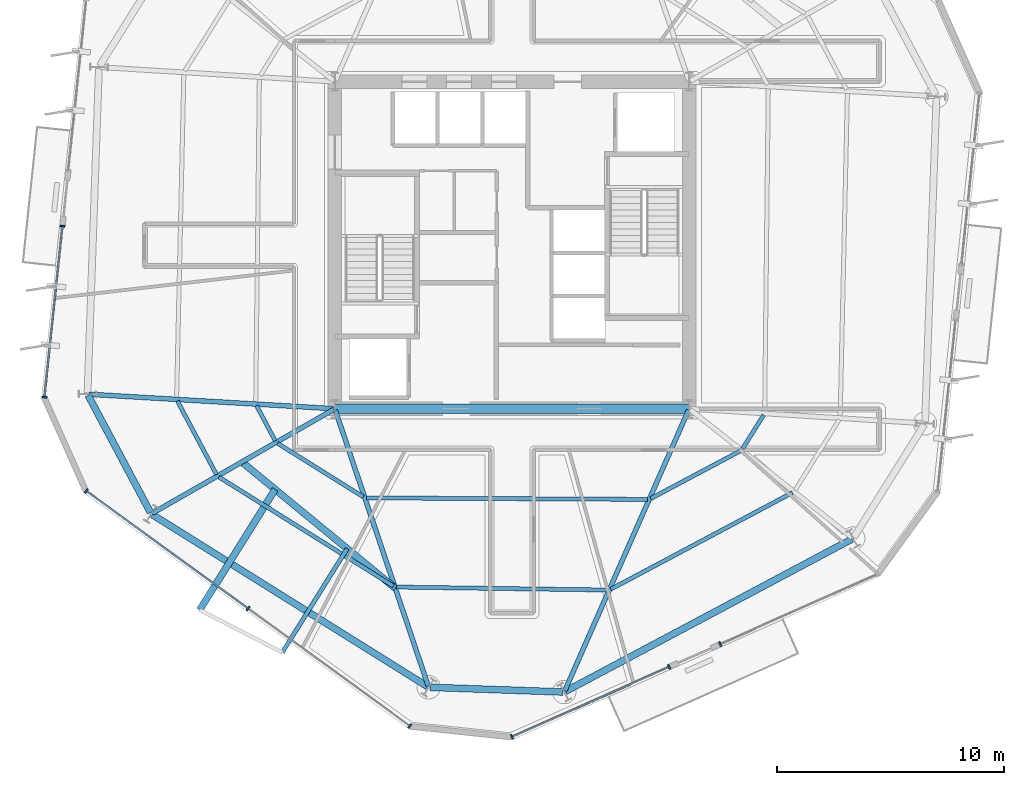
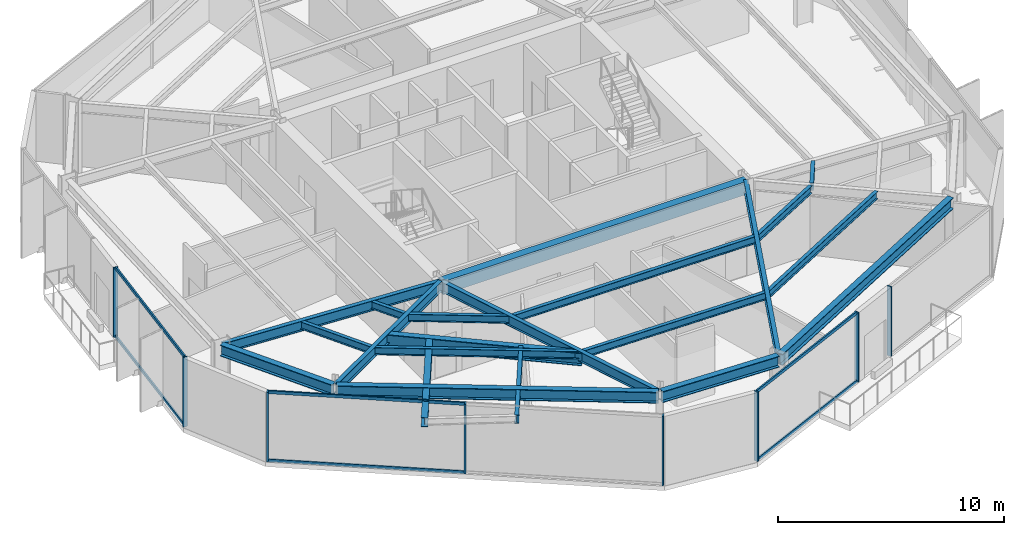
# One storey, part 2 of 13: 21 beams, 14 members, 4 elements without a shape of their own.
"""IFC4 building model written with IfcOpenShell, lengths in metres."""

from ifc_helpers import new_model, si_unit, direction, frame, origin, origin_2d, place, context, subcontext, project, spatial, rectangle, i_section, extrude, material, layer, layer_set, material_profile, profile_set, type_object, element, aggregate, save


model = new_model("IFC4")

# Units and contexts
model_context = context("Model", 3, precision=1e-05, world=origin(), true_north=direction((0.0, 1.0)))
body_context = subcontext(model_context, "Body", "Model", "MODEL_VIEW")
ifc_project = project(units=[si_unit("LENGTHUNIT", "METRE"), si_unit("AREAUNIT", "SQUARE_METRE"), si_unit("VOLUMEUNIT", "CUBIC_METRE"), si_unit("PLANEANGLEUNIT", "RADIAN"), si_unit("MASSUNIT", "GRAM", prefix="KILO")], contexts=[model_context])

# Site, building, storey
site_placement = place(None, origin())
site = spatial("IfcSite", under=ifc_project, at=site_placement, CompositionType="ELEMENT")
building_placement = place(site_placement, origin())
building = spatial("IfcBuilding", under=site, at=building_placement, Name="Kranzbogen Civic Tower", CompositionType="ELEMENT")
storey_placement = place(building_placement, frame((0.0, 0.0, 118.39990234375)))
storey = spatial("IfcBuildingStorey", under=building, at=storey_placement, Name="L28", CompositionType="ELEMENT", Elevation=118.39990234375)

# Beams
ifc_material_1 = material(Name="Steel S355", Category="steel")
ifc_material_profile_1 = material_profile(ifc_material_1, i_section(OverallWidth=0.18994140625, OverallDepth=0.449951171875, WebThickness=0.009521484375, FlangeThickness=0.0146484375, at=origin_2d()), Name="IPE 450")
ifc_profile_set_1 = profile_set([ifc_material_profile_1], Name="Steel S355")
beam_type_1 = type_object("IfcBeamType", Name="Braced Terrace Edge Beam IPE 450", PredefinedType="BEAM", material=ifc_profile_set_1)
beam_1_placement = place(storey_placement, frame((17.741943359375, 11.639892578125, 3.525146484375), z_axis=(-0.529876703445, -0.848074689603, 0.0), x_axis=(0.848074689603, -0.529876703445, 0.0)))
element("IfcBeam", 1, at=beam_1_placement, inside=storey, type_object=beam_type_1, Name="L29 back-spanned terrace beam L29-TB2-2", PredefinedType="BEAM", context=body_context, shape_type="SweptSolid", body=[
    extrude(i_section(OverallWidth=0.18994140625, OverallDepth=0.449951171875, WebThickness=0.009521484375, FlangeThickness=0.0146484375, at=origin_2d()), origin(), (0.0, 0.0, 1.0), 5.38623046875),
])
ifc_material_2 = material(Name="Concrete C40/50", Category="concrete")
ifc_material_profile_2 = material_profile(ifc_material_2, rectangle(XDim=0.39990234375, YDim=0.699951171875, at=origin_2d()), Name="RC-BM 400x700")
ifc_profile_set_2 = profile_set([ifc_material_profile_2], Name="Concrete C40/50")
beam_type_2 = type_object("IfcBeamType", Name="Core Coupling Lintel Beam 400x700", PredefinedType="LINTEL", material=ifc_profile_set_2)
beam_2_placement = place(storey_placement, frame((17.199951171875, 17.800048828125, 3.41015625), z_axis=(1.0, 0.0, 0.0), x_axis=(0.0, 1.0, 0.0)))
element("IfcBeam", 2, at=beam_2_placement, inside=storey, type_object=beam_type_2, Name="L28 core South coupling lintel beam", PredefinedType="LINTEL", context=body_context, shape_type="SweptSolid", body=[
    extrude(rectangle(XDim=0.39990234375, YDim=0.699951171875, at=origin_2d()), origin(), (0.0, 0.0, 1.0), 15.60009765625),
])

# Curtain wall, members
ifc_material_3 = material(Name="Pale Anodised Aluminium", Category="aluminium")
ifc_layer = layer(ifc_material_3, 0.219970703125, Name="Pale Anodised Aluminium")
ifc_layer_set = layer_set([ifc_layer], Name="Pale Anodised Aluminium")
curtain_wall_type = type_object("IfcCurtainWallType", Name="Zone 2 Stick Curtain Wall System CW-03", PredefinedType="USERDEFINED", material=ifc_layer_set)
curtain_wall_1_placement = place(storey_placement, origin())
curtain_wall_1 = element("IfcCurtainWall", 3, at=curtain_wall_1_placement, inside=storey, type_object=curtain_wall_type, Name="L28 curtain wall CW-L28-F3-S2", ObjectType="STICK CURTAIN WALL", PredefinedType="USERDEFINED")
ifc_material_profile_3 = material_profile(ifc_material_3, rectangle(XDim=0.074951171875, YDim=0.219970703125, at=origin_2d()), Name="ALU-M 75x220")
ifc_profile_set_3 = profile_set([ifc_material_profile_3], Name="Pale Anodised Aluminium")
member_type_1 = type_object("IfcMemberType", Name="Curtain Wall Mullion ALU-M 75x220", PredefinedType="MULLION", material=ifc_profile_set_3)
member_1_placement = place(storey_placement, frame((5.207763671875, 25.84423828125, 0.0), z_axis=(0.0, 0.0, 1.0), x_axis=(-0.104521149206, -0.99452266408, 0.0)))
member_1 = element("IfcMember", 4, at=member_1_placement, type_object=member_type_1, Name="CW-03 mullion 1", PredefinedType="MULLION", context=body_context, shape_type="SweptSolid", body=[
    extrude(rectangle(XDim=0.074951171875, YDim=0.219970703125, at=origin_2d()), origin(), (0.0, 0.0, 1.0), 3.760009765625),
])
member_2_placement = place(storey_placement, frame((4.416015625, 18.310791015625, 0.0), z_axis=(0.0, 0.0, 1.0), x_axis=(-0.104521149206, -0.99452266408, 0.0)))
member_2 = element("IfcMember", 5, at=member_2_placement, type_object=member_type_1, Name="CW-03 mullion 2", PredefinedType="MULLION", context=body_context, shape_type="SweptSolid", body=[
    extrude(rectangle(XDim=0.074951171875, YDim=0.219970703125, at=origin_2d()), origin(), (0.0, 0.0, 1.0), 3.760009765625),
])

curtain_wall_2_placement = place(storey_placement, origin())
curtain_wall_2 = element("IfcCurtainWall", 6, at=curtain_wall_2_placement, inside=storey, type_object=curtain_wall_type, Name="L28 curtain wall CW-L28-F4", ObjectType="STICK CURTAIN WALL", PredefinedType="USERDEFINED")
member_3_placement = place(storey_placement, frame((6.25537109375, 14.179443359375, 0.0), z_axis=(0.0, 0.0, 1.0), x_axis=(0.808995433377, -0.587814927315, 0.0)))
member_3 = element("IfcMember", 7, at=member_3_placement, type_object=member_type_1, Name="CW-03 mullion 1", PredefinedType="MULLION", context=body_context, shape_type="SweptSolid", body=[
    extrude(rectangle(XDim=0.074951171875, YDim=0.219970703125, at=origin_2d()), origin(), (0.0, 0.0, 1.0), 3.760009765625),
])
member_4_placement = place(storey_placement, frame((13.3779296875, 9.00390625, 0.0), z_axis=(0.0, 0.0, 1.0), x_axis=(0.808995433377, -0.587814927315, 0.0)))
member_4 = element("IfcMember", 8, at=member_4_placement, type_object=member_type_1, Name="CW-03 mullion 2", PredefinedType="MULLION", context=body_context, shape_type="SweptSolid", body=[
    extrude(rectangle(XDim=0.074951171875, YDim=0.219970703125, at=origin_2d()), origin(), (0.0, 0.0, 1.0), 3.760009765625),
])
member_5_placement = place(storey_placement, frame((20.500732421875, 3.82861328125, 0.0), z_axis=(0.0, 0.0, 1.0), x_axis=(0.808995433377, -0.587814927315, 0.0)))
member_5 = element("IfcMember", 9, at=member_5_placement, type_object=member_type_1, Name="CW-03 mullion 3", PredefinedType="MULLION", context=body_context, shape_type="SweptSolid", body=[
    extrude(rectangle(XDim=0.074951171875, YDim=0.219970703125, at=origin_2d()), origin(), (0.0, 0.0, 1.0), 3.760009765625),
])

curtain_wall_3_placement = place(storey_placement, origin())
curtain_wall_3 = element("IfcCurtainWall", 10, at=curtain_wall_3_placement, inside=storey, type_object=curtain_wall_type, Name="L28 curtain wall CW-L28-F5-S1", ObjectType="STICK CURTAIN WALL", PredefinedType="USERDEFINED")
member_6_placement = place(storey_placement, frame((24.99951171875, 3.356201171875, 0.0), z_axis=(0.0, 0.0, 1.0), x_axis=(0.91354666724, 0.406733926264, 0.0)))
member_6 = element("IfcMember", 11, at=member_6_placement, type_object=member_type_1, Name="CW-03 mullion 1", PredefinedType="MULLION", context=body_context, shape_type="SweptSolid", body=[
    extrude(rectangle(XDim=0.074951171875, YDim=0.219970703125, at=origin_2d()), origin(), (0.0, 0.0, 1.0), 3.760009765625),
])
member_7_placement = place(storey_placement, frame((31.918701171875, 6.436767578125, 0.0), z_axis=(0.0, 0.0, 1.0), x_axis=(0.91354666724, 0.406733926264, 0.0)))
member_7 = element("IfcMember", 12, at=member_7_placement, type_object=member_type_1, Name="CW-03 mullion 2", PredefinedType="MULLION", context=body_context, shape_type="SweptSolid", body=[
    extrude(rectangle(XDim=0.074951171875, YDim=0.219970703125, at=origin_2d()), origin(), (0.0, 0.0, 1.0), 3.760009765625),
])

# Curtain wall, member
curtain_wall_4_placement = place(storey_placement, origin())
curtain_wall_4 = element("IfcCurtainWall", 13, at=curtain_wall_4_placement, inside=storey, type_object=curtain_wall_type, Name="L28 curtain wall CW-L28-F5-S2", ObjectType="STICK CURTAIN WALL", PredefinedType="USERDEFINED")
member_8_placement = place(storey_placement, frame((34.16552734375, 7.437255859375, 0.0), z_axis=(0.0, 0.0, 1.0), x_axis=(0.913519667223, 0.406794564366, 0.0)))
member_8 = element("IfcMember", 14, at=member_8_placement, type_object=member_type_1, Name="CW-03 mullion 1", PredefinedType="MULLION", context=body_context, shape_type="SweptSolid", body=[
    extrude(rectangle(XDim=0.074951171875, YDim=0.219970703125, at=origin_2d()), origin(), (0.0, 0.0, 1.0), 3.760009765625),
])
aggregate(curtain_wall_4, [member_8])

# Member
ifc_material_profile_4 = material_profile(ifc_material_3, rectangle(XDim=0.074951171875, YDim=0.1650390625, at=origin_2d()), Name="ALU-T 75x165")
ifc_profile_set_4 = profile_set([ifc_material_profile_4], Name="Pale Anodised Aluminium")
member_type_2 = type_object("IfcMemberType", Name="Curtain Wall Transom ALU-T 75x165", PredefinedType="USERDEFINED", material=ifc_profile_set_4)
member_9_placement = place(storey_placement, frame((5.204833984375, 25.814208984375, 0.030029296875), z_axis=(-0.10454610906, -0.994520040563, 0.0), x_axis=(0.994520040563, -0.10454610906, 0.0)))
member_9 = element("IfcMember", 15, at=member_9_placement, type_object=member_type_2, Name="CW-03 transom 1.1", ObjectType="TRANSOM", PredefinedType="USERDEFINED", context=body_context, shape_type="SweptSolid", body=[
    extrude(rectangle(XDim=0.074951171875, YDim=0.1650390625, at=origin_2d()), origin(), (0.0, 0.0, 1.0), 7.514892578125),
])

member_10_placement = place(storey_placement, frame((5.204833984375, 25.814208984375, 3.72998046875), z_axis=(-0.10454610906, -0.994520040563, 0.0), x_axis=(0.994520040563, -0.10454610906, 0.0)))
member_10 = element("IfcMember", 16, at=member_10_placement, type_object=member_type_2, Name="CW-03 transom 1.2", ObjectType="TRANSOM", PredefinedType="USERDEFINED", context=body_context, shape_type="SweptSolid", body=[
    extrude(rectangle(XDim=0.074951171875, YDim=0.1650390625, at=origin_2d()), origin(), (0.0, 0.0, 1.0), 7.514892578125),
])

aggregate(curtain_wall_1, [member_1, member_2, member_9, member_10])

member_11_placement = place(storey_placement, frame((6.279541015625, 14.16162109375, 0.030029296875), z_axis=(0.809007651338, -0.587798111665, 0.0), x_axis=(0.587798111665, 0.809007651338, 0.0)))
member_11 = element("IfcMember", 17, at=member_11_placement, type_object=member_type_2, Name="CW-03 transom 1.1", ObjectType="TRANSOM", PredefinedType="USERDEFINED", context=body_context, shape_type="SweptSolid", body=[
    extrude(rectangle(XDim=0.074951171875, YDim=0.1650390625, at=origin_2d()), origin(), (0.0, 0.0, 1.0), 8.744384765625),
])

member_12_placement = place(storey_placement, frame((6.279541015625, 14.16162109375, 3.72998046875), z_axis=(0.809007651338, -0.587798111665, 0.0), x_axis=(0.587798111665, 0.809007651338, 0.0)))
member_12 = element("IfcMember", 18, at=member_12_placement, type_object=member_type_2, Name="CW-03 transom 1.2", ObjectType="TRANSOM", PredefinedType="USERDEFINED", context=body_context, shape_type="SweptSolid", body=[
    extrude(rectangle(XDim=0.074951171875, YDim=0.1650390625, at=origin_2d()), origin(), (0.0, 0.0, 1.0), 8.744384765625),
])

aggregate(curtain_wall_2, [member_3, member_4, member_5, member_11, member_12])

member_13_placement = place(storey_placement, frame((25.02685546875, 3.368408203125, 0.030029296875), z_axis=(0.913546057872, 0.406735294937, 0.0), x_axis=(-0.406735294937, 0.913546057872, 0.0)))
member_13 = element("IfcMember", 19, at=member_13_placement, type_object=member_type_2, Name="CW-03 transom 1.1", ObjectType="TRANSOM", PredefinedType="USERDEFINED", context=body_context, shape_type="SweptSolid", body=[
    extrude(rectangle(XDim=0.074951171875, YDim=0.1650390625, at=origin_2d()), origin(), (0.0, 0.0, 1.0), 7.513916015625),
])

member_14_placement = place(storey_placement, frame((25.02685546875, 3.368408203125, 3.72998046875), z_axis=(0.913546057872, 0.406735294937, 0.0), x_axis=(-0.406735294937, 0.913546057872, 0.0)))
member_14 = element("IfcMember", 20, at=member_14_placement, type_object=member_type_2, Name="CW-03 transom 1.2", ObjectType="TRANSOM", PredefinedType="USERDEFINED", context=body_context, shape_type="SweptSolid", body=[
    extrude(rectangle(XDim=0.074951171875, YDim=0.1650390625, at=origin_2d()), origin(), (0.0, 0.0, 1.0), 7.513916015625),
])

aggregate(curtain_wall_3, [member_6, member_7, member_13, member_14])

# Beams
ifc_material_profile_5 = material_profile(ifc_material_1, i_section(OverallWidth=0.300048828125, OverallDepth=0.5, WebThickness=0.014404296875, FlangeThickness=0.028076171875, at=origin_2d()), Name="HEB 500")
ifc_profile_set_5 = profile_set([ifc_material_profile_5], Name="Steel S355")
beam_type_3 = type_object("IfcBeamType", Name="Perimeter Tube Spandrel Beam HEB 500", PredefinedType="SPANDREL", material=ifc_profile_set_5)
beam_3_placement = place(storey_placement, frame((14.570068359375, 14.2509765625, 3.5), z_axis=(-0.530076019968, -0.847950124155, 0.0), x_axis=(0.847950124155, -0.530076019968, 0.0)))
element("IfcBeam", 21, at=beam_3_placement, inside=storey, type_object=beam_type_3, Name="L29 back-spanned terrace beam L29-TB2-1", PredefinedType="SPANDREL", context=body_context, shape_type="SweptSolid", body=[
    extrude(i_section(OverallWidth=0.300048828125, OverallDepth=0.5, WebThickness=0.014404296875, FlangeThickness=0.028076171875, at=origin_2d()), origin(), (0.0, 0.0, 1.0), 6.263427734375),
])
ifc_material_profile_6 = material_profile(ifc_material_1, i_section(OverallWidth=0.300048828125, OverallDepth=0.60009765625, WebThickness=0.015380859375, FlangeThickness=0.030029296875, at=origin_2d()), Name="HEB 600")
ifc_profile_set_6 = profile_set([ifc_material_profile_6], Name="Steel S355")
beam_type_4 = type_object("IfcBeamType", Name="Perimeter Tube Spandrel Beam HEB 600", PredefinedType="SPANDREL", material=ifc_profile_set_6)
beam_4_placement = place(storey_placement, frame((6.337890625, 18.39111328125, 3.460205078125), z_axis=(0.469565926668, -0.882897412224, 0.0), x_axis=(0.882897412224, 0.469565926668, 0.0)))
element("IfcBeam", 22, at=beam_4_placement, inside=storey, type_object=beam_type_4, Name="L28 perimeter spandrel beam 01", PredefinedType="SPANDREL", context=body_context, shape_type="SweptSolid", body=[
    extrude(i_section(OverallWidth=0.300048828125, OverallDepth=0.60009765625, WebThickness=0.015380859375, FlangeThickness=0.030029296875, at=origin_2d()), origin(), (0.0, 0.0, 1.0), 5.852294921875),
])
beam_5_placement = place(storey_placement, frame((9.1650390625, 13.138916015625, 3.460205078125), z_axis=(0.848051101349, -0.52991445489, 0.0), x_axis=(0.52991445489, 0.848051101349, 0.0)))
element("IfcBeam", 23, at=beam_5_placement, inside=storey, type_object=beam_type_4, Name="L28 perimeter spandrel beam 02", PredefinedType="SPANDREL", context=body_context, shape_type="SweptSolid", body=[
    extrude(i_section(OverallWidth=0.300048828125, OverallDepth=0.60009765625, WebThickness=0.015380859375, FlangeThickness=0.030029296875, at=origin_2d()), origin(), (0.0, 0.0, 1.0), 14.286865234375),
])
beam_6_placement = place(storey_placement, frame((21.39208984375, 5.533935546875, 3.460205078125), z_axis=(0.999393148233, -0.03483296234, 0.0), x_axis=(0.03483296234, 0.999393148233, 0.0)))
element("IfcBeam", 24, at=beam_6_placement, inside=storey, type_object=beam_type_4, Name="L28 perimeter spandrel beam 03", PredefinedType="SPANDREL", context=body_context, shape_type="SweptSolid", body=[
    extrude(i_section(OverallWidth=0.300048828125, OverallDepth=0.60009765625, WebThickness=0.015380859375, FlangeThickness=0.030029296875, at=origin_2d()), origin(), (0.0, 0.0, 1.0), 5.8525390625),
])
beam_7_placement = place(storey_placement, frame((27.35400390625, 5.35595703125, 3.460205078125), z_axis=(0.882948194046, 0.469470432116, 0.0), x_axis=(-0.469470432116, 0.882948194046, 0.0)))
element("IfcBeam", 25, at=beam_7_placement, inside=storey, type_object=beam_type_4, Name="L28 perimeter spandrel beam 04", PredefinedType="SPANDREL", context=body_context, shape_type="SweptSolid", body=[
    extrude(i_section(OverallWidth=0.300048828125, OverallDepth=0.60009765625, WebThickness=0.015380859375, FlangeThickness=0.030029296875, at=origin_2d()), origin(), (0.0, 0.0, 1.0), 14.28857421875),
])
ifc_material_profile_7 = material_profile(ifc_material_1, i_section(OverallWidth=0.300048828125, OverallDepth=0.699951171875, WebThickness=0.01708984375, FlangeThickness=0.031982421875, at=origin_2d()), Name="HEB 700")
ifc_profile_set_7 = profile_set([ifc_material_profile_7], Name="Steel S355")
beam_type_5 = type_object("IfcBeamType", Name="Perimeter Tube Spandrel Beam HEB 700", PredefinedType="SPANDREL", material=ifc_profile_set_7)
beam_8_placement = place(storey_placement, frame((13.10595703125, 15.4560546875, 3.400146484375), z_axis=(0.772133132713, -0.635460797663, 0.0), x_axis=(0.635460797663, 0.772133132713, 0.0)))
element("IfcBeam", 26, at=beam_8_placement, inside=storey, type_object=beam_type_5, Name="L29 balcony back-span header girder L29-TB2", PredefinedType="SPANDREL", context=body_context, shape_type="SweptSolid", body=[
    extrude(i_section(OverallWidth=0.300048828125, OverallDepth=0.699951171875, WebThickness=0.01708984375, FlangeThickness=0.031982421875, at=origin_2d()), origin(), (0.0, 0.0, 1.0), 8.751220703125),
])
ifc_material_profile_8 = material_profile(ifc_material_1, i_section(OverallWidth=0.2099609375, OverallDepth=0.550048828125, WebThickness=0.010986328125, FlangeThickness=0.01708984375, at=origin_2d()), Name="IPE 550")
ifc_profile_set_8 = profile_set([ifc_material_profile_8], Name="Steel S355")
beam_type_6 = type_object("IfcBeamType", Name="Radial Tower Floor Girder IPE 550", PredefinedType="BEAM", material=ifc_profile_set_8)
beam_9_placement = place(storey_placement, frame((6.3701171875, 18.43994140625, 3.485107421875), z_axis=(0.998260925387, -0.058950189528, 0.0), x_axis=(0.058950189528, 0.998260925387, 0.0)))
element("IfcBeam", 27, at=beam_9_placement, inside=storey, type_object=beam_type_6, Name="L28 radial floor girder 01", PredefinedType="BEAM", context=body_context, shape_type="SweptSolid", body=[
    extrude(i_section(OverallWidth=0.2099609375, OverallDepth=0.550048828125, WebThickness=0.010986328125, FlangeThickness=0.01708984375, at=origin_2d()), origin(), (0.0, 0.0, 1.0), 10.78857421875),
])
beam_10_placement = place(storey_placement, frame((9.166015625, 13.200927734375, 3.485107421875), z_axis=(0.867868812182, 0.496793442833, 0.0), x_axis=(-0.496793442833, 0.867868812182, 0.0)))
element("IfcBeam", 28, at=beam_10_placement, inside=storey, type_object=beam_type_6, Name="L28 radial floor girder 02", PredefinedType="BEAM", context=body_context, shape_type="SweptSolid", body=[
    extrude(i_section(OverallWidth=0.2099609375, OverallDepth=0.550048828125, WebThickness=0.010986328125, FlangeThickness=0.01708984375, at=origin_2d()), origin(), (0.0, 0.0, 1.0), 9.197265625),
])
beam_11_placement = place(storey_placement, frame((21.31298828125, 5.593017578125, 3.485107421875), z_axis=(-0.319316617377, 0.947648087566, 0.0), x_axis=(-0.947648087566, -0.319316617377, 0.0)))
element("IfcBeam", 29, at=beam_11_placement, inside=storey, type_object=beam_type_6, Name="L28 radial floor girder 03", PredefinedType="BEAM", context=body_context, shape_type="SweptSolid", body=[
    extrude(i_section(OverallWidth=0.2099609375, OverallDepth=0.550048828125, WebThickness=0.010986328125, FlangeThickness=0.01708984375, at=origin_2d()), origin(), (0.0, 0.0, 1.0), 12.821044921875),
])
beam_12_placement = place(storey_placement, frame((27.324951171875, 5.383056640625, 3.485107421875), z_axis=(0.403459127705, 0.914997667905, 0.0), x_axis=(-0.914997667905, 0.403459127705, 0.0)))
element("IfcBeam", 30, at=beam_12_placement, inside=storey, type_object=beam_type_6, Name="L28 radial floor girder 04", PredefinedType="BEAM", context=body_context, shape_type="SweptSolid", body=[
    extrude(i_section(OverallWidth=0.2099609375, OverallDepth=0.550048828125, WebThickness=0.010986328125, FlangeThickness=0.01708984375, at=origin_2d()), origin(), (0.0, 0.0, 1.0), 13.510498046875),
])
ifc_material_profile_9 = material_profile(ifc_material_1, i_section(OverallWidth=0.179931640625, OverallDepth=0.39990234375, WebThickness=0.008544921875, FlangeThickness=0.013427734375, at=origin_2d()), Name="IPE 400")
ifc_profile_set_9 = profile_set([ifc_material_profile_9], Name="Steel S355")
beam_type_7 = type_object("IfcBeamType", Name="Secondary Composite Floor Joist IPE 400", PredefinedType="JOIST", material=ifc_profile_set_9)
beam_13_placement = place(storey_placement, frame((10.26806640625, 18.14208984375, 3.56005859375), z_axis=(0.469338791783, -0.88301817565, 0.0), x_axis=(0.88301817565, 0.469338791783, 0.0)))
element("IfcBeam", 31, at=beam_13_placement, inside=storey, type_object=beam_type_7, Name="L28 secondary floor joist 1.01", PredefinedType="JOIST", context=body_context, shape_type="SweptSolid", body=[
    extrude(i_section(OverallWidth=0.179931640625, OverallDepth=0.39990234375, WebThickness=0.008544921875, FlangeThickness=0.013427734375, at=origin_2d()), origin(), (0.0, 0.0, 1.0), 3.66259765625),
])
beam_14_placement = place(storey_placement, frame((13.7529296875, 17.93505859375, 3.56005859375), z_axis=(0.46943723363, -0.882965845139, 0.0), x_axis=(0.882965845139, 0.46943723363, 0.0)))
element("IfcBeam", 32, at=beam_14_placement, inside=storey, type_object=beam_type_7, Name="L28 secondary floor joist 2.01", PredefinedType="JOIST", context=body_context, shape_type="SweptSolid", body=[
    extrude(i_section(OverallWidth=0.179931640625, OverallDepth=0.39990234375, WebThickness=0.008544921875, FlangeThickness=0.013427734375, at=origin_2d()), origin(), (0.0, 0.0, 1.0), 1.7509765625),
])
beam_15_placement = place(storey_placement, frame((12.093017578125, 14.794921875, 3.56005859375), z_axis=(0.848025549308, -0.529955345026, 0.0), x_axis=(0.529955345026, 0.848025549308, 0.0)))
element("IfcBeam", 33, at=beam_15_placement, inside=storey, type_object=beam_type_7, Name="L28 secondary floor joist 1.02", PredefinedType="JOIST", context=body_context, shape_type="SweptSolid", body=[
    extrude(i_section(OverallWidth=0.179931640625, OverallDepth=0.39990234375, WebThickness=0.008544921875, FlangeThickness=0.013427734375, at=origin_2d()), origin(), (0.0, 0.0, 1.0), 9.06103515625),
])
beam_16_placement = place(storey_placement, frame((14.679931640625, 16.27587890625, 3.56005859375), z_axis=(0.848093834398, -0.529846060716, 0.0), x_axis=(0.529846060716, 0.848093834398, 0.0)))
element("IfcBeam", 34, at=beam_16_placement, inside=storey, type_object=beam_type_7, Name="L28 secondary floor joist 2.02", PredefinedType="JOIST", context=body_context, shape_type="SweptSolid", body=[
    extrude(i_section(OverallWidth=0.179931640625, OverallDepth=0.39990234375, WebThickness=0.008544921875, FlangeThickness=0.013427734375, at=origin_2d()), origin(), (0.0, 0.0, 1.0), 4.4501953125),
])
beam_17_placement = place(storey_placement, frame((19.924072265625, 9.949951171875, 3.56005859375), z_axis=(0.999900525148, -0.014104602386, 0.0), x_axis=(0.014104602386, 0.999900525148, 0.0)))
element("IfcBeam", 35, at=beam_17_placement, inside=storey, type_object=beam_type_7, Name="L28 secondary floor joist 1.03", PredefinedType="JOIST", context=body_context, shape_type="SweptSolid", body=[
    extrude(i_section(OverallWidth=0.179931640625, OverallDepth=0.39990234375, WebThickness=0.008544921875, FlangeThickness=0.013427734375, at=origin_2d()), origin(), (0.0, 0.0, 1.0), 9.27783203125),
])
beam_18_placement = place(storey_placement, frame((18.60205078125, 13.875, 3.56005859375), z_axis=(0.999985774147, -0.005333995002, 0.0), x_axis=(0.005333995002, 0.999985774147, 0.0)))
element("IfcBeam", 36, at=beam_18_placement, inside=storey, type_object=beam_type_7, Name="L28 secondary floor joist 2.03", PredefinedType="JOIST", context=body_context, shape_type="SweptSolid", body=[
    extrude(i_section(OverallWidth=0.179931640625, OverallDepth=0.39990234375, WebThickness=0.008544921875, FlangeThickness=0.013427734375, at=origin_2d()), origin(), (0.0, 0.0, 1.0), 12.358154296875),
])
beam_19_placement = place(storey_placement, frame((29.35107421875, 9.85498046875, 3.56005859375), z_axis=(0.882960787661, 0.469446746131, 0.0), x_axis=(-0.469446746131, 0.882960787661, 0.0)))
element("IfcBeam", 37, at=beam_19_placement, inside=storey, type_object=beam_type_7, Name="L28 secondary floor joist 1.04", PredefinedType="JOIST", context=body_context, shape_type="SweptSolid", body=[
    extrude(i_section(OverallWidth=0.179931640625, OverallDepth=0.39990234375, WebThickness=0.008544921875, FlangeThickness=0.013427734375, at=origin_2d()), origin(), (0.0, 0.0, 1.0), 9.0615234375),
])
beam_20_placement = place(storey_placement, frame((31.111083984375, 13.846923828125, 3.56005859375), z_axis=(0.882991399158, 0.469389165844, 0.0), x_axis=(-0.469389165844, 0.882991399158, 0.0)))
element("IfcBeam", 38, at=beam_20_placement, inside=storey, type_object=beam_type_7, Name="L28 secondary floor joist 2.04", PredefinedType="JOIST", context=body_context, shape_type="SweptSolid", body=[
    extrude(i_section(OverallWidth=0.179931640625, OverallDepth=0.39990234375, WebThickness=0.008544921875, FlangeThickness=0.013427734375, at=origin_2d()), origin(), (0.0, 0.0, 1.0), 4.45068359375),
])
beam_21_placement = place(storey_placement, frame((35.154052734375, 16.041015625, 3.56005859375), z_axis=(0.529572623603, 0.84826460278, 0.0), x_axis=(-0.84826460278, 0.529572623603, 0.0)))
element("IfcBeam", 39, at=beam_21_placement, inside=storey, type_object=beam_type_7, Name="L28 secondary floor joist 2.05", PredefinedType="JOIST", context=body_context, shape_type="SweptSolid", body=[
    extrude(i_section(OverallWidth=0.179931640625, OverallDepth=0.39990234375, WebThickness=0.008544921875, FlangeThickness=0.013427734375, at=origin_2d()), origin(), (0.0, 0.0, 1.0), 1.75048828125),
])

save(model, "model.ifc")
